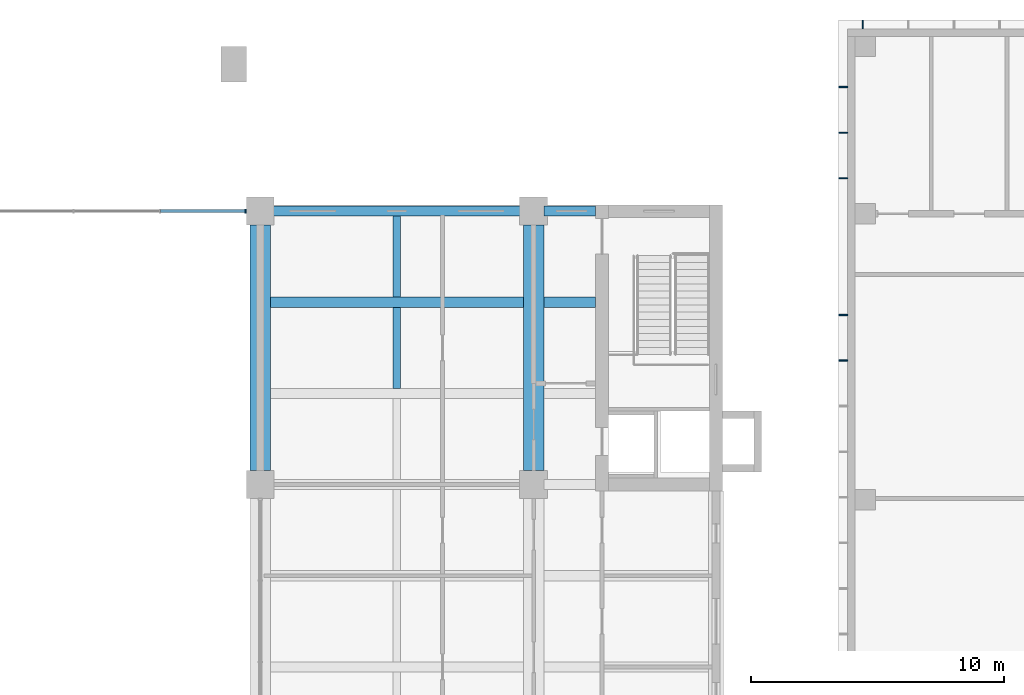
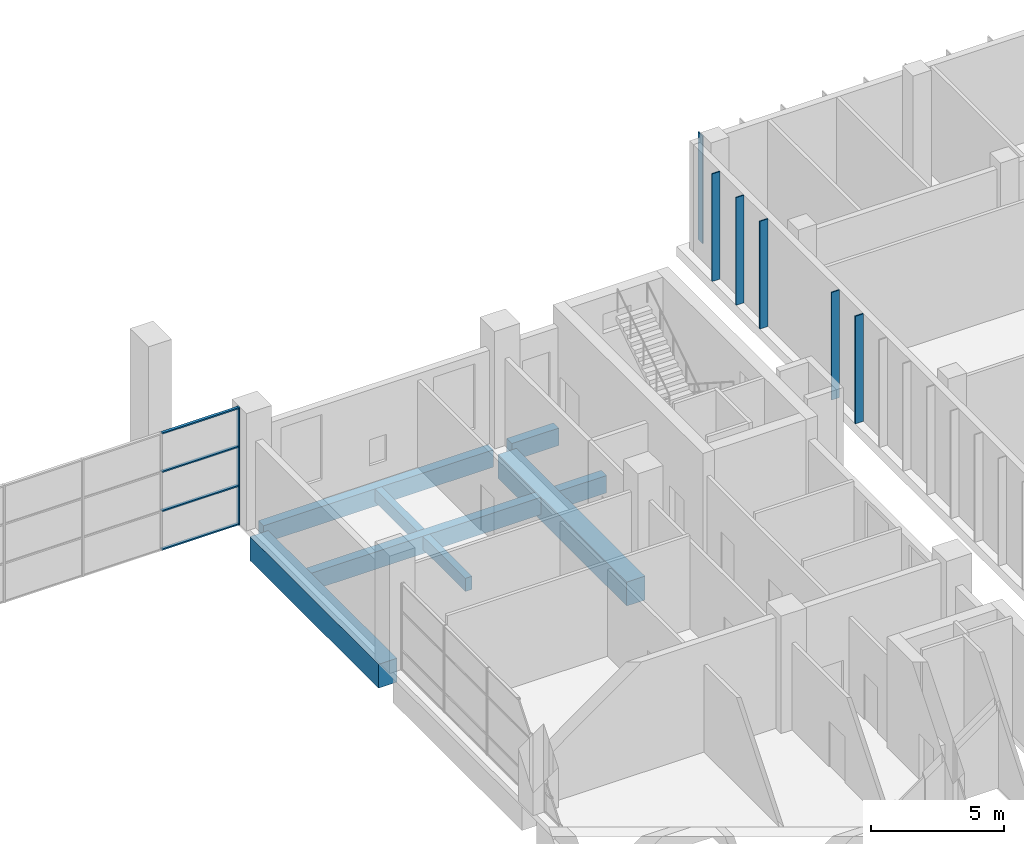
# One storey, part 11 of 32: 11 members, 8 beams, 1 element without a shape of its own.
"""IFC4 building model written with IfcOpenShell, lengths in metres."""

from ifc_helpers import new_model, si_unit, direction, frame, origin, origin_2d, place, context, subcontext, project, spatial, rectangle, extrude, material, layer, layer_set, material_profile, profile_set, type_object, element, aggregate, save


model = new_model("IFC4")

# Units and contexts
model_context = context("Model", 3, precision=1e-05, world=origin(), true_north=direction((0.0, 1.0)))
body_context = subcontext(model_context, "Body", "Model", "MODEL_VIEW")
ifc_project = project(units=[si_unit("LENGTHUNIT", "METRE"), si_unit("AREAUNIT", "SQUARE_METRE"), si_unit("VOLUMEUNIT", "CUBIC_METRE"), si_unit("PLANEANGLEUNIT", "RADIAN"), si_unit("MASSUNIT", "GRAM", prefix="KILO")], contexts=[model_context])

# Site, building, storey
site_placement = place(None, origin())
site = spatial("IfcSite", under=ifc_project, at=site_placement, CompositionType="ELEMENT")
building_placement = place(site_placement, origin())
building = spatial("IfcBuilding", under=site, at=building_placement, Name="Basin Gate Institute", CompositionType="ELEMENT")
storey_placement = place(building_placement, frame((0.0, 0.0, 11.39990234375)))
storey = spatial("IfcBuildingStorey", under=building, at=storey_placement, Name="L02", CompositionType="ELEMENT", Elevation=11.39990234375)

# Curtain wall, members
ifc_material_1 = material(Name="Aluminium and glass curtain wall", Category="aluminium")
ifc_layer = layer(ifc_material_1, 0.14990234375)
ifc_layer_set = layer_set([ifc_layer], Name="Atrium curtain wall CW81")
curtain_wall_type = type_object("IfcCurtainWallType", Name="Atrium curtain wall CW81", PredefinedType="NOTDEFINED", material=ifc_layer_set)
curtain_wall_placement = place(storey_placement, origin())
curtain_wall = element("IfcCurtainWall", 1, at=curtain_wall_placement, inside=storey, type_object=curtain_wall_type, material=ifc_layer_set, Name="Atrium end screen N L02", PredefinedType="NOTDEFINED")
ifc_material_2 = material(Name="Aluminium mullion", Category="aluminium")
ifc_material_profile_1 = material_profile(ifc_material_2, rectangle(XDim=0.159912109375, YDim=0.06005859375, at=origin_2d()), Name="Atrium mullion MU81 160 x 60")
ifc_profile_set_1 = profile_set([ifc_material_profile_1], Name="Aluminium mullion")
member_type_1 = type_object("IfcMemberType", Name="Atrium mullion MU81", PredefinedType="MULLION", material=ifc_profile_set_1)
member_1_placement = place(storey_placement, frame((100.219970703125, 99.89990234375, 0.0), z_axis=(0.0, 0.0, 1.0), x_axis=(0.0, 1.0, 0.0)))
member_1 = element("IfcMember", 2, at=member_1_placement, type_object=member_type_1, material=ifc_profile_set_1, Name="CW81 mullion 7", PredefinedType="MULLION", context=body_context, shape_type="SweptSolid", body=[
    extrude(rectangle(XDim=0.159912109375, YDim=0.06005859375, at=origin_2d()), origin(), (0.0, 0.0, 1.0), 5.400146484375),
])
ifc_material_3 = material(Name="Aluminium transom", Category="aluminium")
ifc_material_profile_2 = material_profile(ifc_material_3, rectangle(XDim=0.1201171875, YDim=0.06005859375, at=origin_2d()), Name="Atrium transom TR81 120 x 60")
ifc_profile_set_2 = profile_set([ifc_material_profile_2], Name="Aluminium transom")
member_type_2 = type_object("IfcMemberType", Name="Atrium transom TR81", PredefinedType="USERDEFINED", material=ifc_profile_set_2)
member_2_placement = place(storey_placement, frame((96.86328125, 99.89990234375, 0.030029296875), z_axis=(1.0, 0.0, 0.0), x_axis=(0.0, 1.0, 0.0)))
member_2 = element("IfcMember", 3, at=member_2_placement, type_object=member_type_2, material=ifc_profile_set_2, Name="CW81 transom 6.1", ObjectType="TRANSOM", PredefinedType="USERDEFINED", context=body_context, shape_type="SweptSolid", body=[
    extrude(rectangle(XDim=0.1201171875, YDim=0.06005859375, at=origin_2d()), origin(), (0.0, 0.0, 1.0), 3.32666015625),
])
member_3_placement = place(storey_placement, frame((96.86328125, 99.89990234375, 1.800048828125), z_axis=(1.0, 0.0, 0.0), x_axis=(0.0, 1.0, 0.0)))
member_3 = element("IfcMember", 4, at=member_3_placement, type_object=member_type_2, material=ifc_profile_set_2, Name="CW81 transom 6.2", ObjectType="TRANSOM", PredefinedType="USERDEFINED", context=body_context, shape_type="SweptSolid", body=[
    extrude(rectangle(XDim=0.1201171875, YDim=0.06005859375, at=origin_2d()), origin(), (0.0, 0.0, 1.0), 3.32666015625),
])
member_4_placement = place(storey_placement, frame((96.86328125, 99.89990234375, 3.60009765625), z_axis=(1.0, 0.0, 0.0), x_axis=(0.0, 1.0, 0.0)))
member_4 = element("IfcMember", 5, at=member_4_placement, type_object=member_type_2, material=ifc_profile_set_2, Name="CW81 transom 6.3", ObjectType="TRANSOM", PredefinedType="USERDEFINED", context=body_context, shape_type="SweptSolid", body=[
    extrude(rectangle(XDim=0.1201171875, YDim=0.06005859375, at=origin_2d()), origin(), (0.0, 0.0, 1.0), 3.32666015625),
])
member_5_placement = place(storey_placement, frame((96.86328125, 99.89990234375, 5.3701171875), z_axis=(1.0, 0.0, 0.0), x_axis=(0.0, 1.0, 0.0)))
member_5 = element("IfcMember", 6, at=member_5_placement, type_object=member_type_2, material=ifc_profile_set_2, Name="CW81 transom 6.4", ObjectType="TRANSOM", PredefinedType="USERDEFINED", context=body_context, shape_type="SweptSolid", body=[
    extrude(rectangle(XDim=0.1201171875, YDim=0.06005859375, at=origin_2d()), origin(), (0.0, 0.0, 1.0), 3.32666015625),
])
aggregate(curtain_wall, [member_1, member_2, member_3, member_4, member_5])

# Beams
ifc_material_4 = material(Name="Concrete 40 MPa", Category="concrete")
ifc_material_profile_3 = material_profile(ifc_material_4, rectangle(XDim=0.39990234375, YDim=0.800048828125, at=origin_2d()), Name="Beam B2 400 x 800")
ifc_profile_set_3 = profile_set([ifc_material_profile_3], Name="Concrete 40 MPa")
beam_type_1 = type_object("IfcBeamType", Name="Beam B2 R180", PredefinedType="BEAM", material=ifc_profile_set_3)
beam_1_placement = place(storey_placement, frame((111.199951171875, 96.300048828125, -0.699951171875), z_axis=(-1.0, 0.0, 0.0), x_axis=(0.0, -1.0, 0.0)))
element("IfcBeam", 7, at=beam_1_placement, inside=storey, type_object=beam_type_1, material=ifc_profile_set_3, Name="BEAM/L02/E/EW/18", PredefinedType="BEAM", context=body_context, shape_type="SweptSolid", body=[
    extrude(rectangle(XDim=0.39990234375, YDim=0.800048828125, at=origin_2d()), origin(), (0.0, 0.0, 1.0), 10.0),
])
beam_2_placement = place(storey_placement, frame((114.050048828125, 96.300048828125, -0.699951171875), z_axis=(-1.0, 0.0, 0.0), x_axis=(0.0, -1.0, 0.0)))
element("IfcBeam", 8, at=beam_2_placement, inside=storey, type_object=beam_type_1, material=ifc_profile_set_3, Name="BEAM/L02/E/CORR/18", PredefinedType="BEAM", context=body_context, shape_type="SweptSolid", body=[
    extrude(rectangle(XDim=0.39990234375, YDim=0.800048828125, at=origin_2d()), origin(), (0.0, 0.0, 1.0), 2.050048828125),
])
beam_3_placement = place(storey_placement, frame((111.199951171875, 99.89990234375, -0.699951171875), z_axis=(-1.0, 0.0, 0.0), x_axis=(0.0, -1.0, 0.0)))
element("IfcBeam", 9, at=beam_3_placement, inside=storey, type_object=beam_type_1, material=ifc_profile_set_3, Name="BEAM/L02/E/EW/19", PredefinedType="BEAM", context=body_context, shape_type="SweptSolid", body=[
    extrude(rectangle(XDim=0.39990234375, YDim=0.800048828125, at=origin_2d()), origin(), (0.0, 0.0, 1.0), 10.0),
])
beam_4_placement = place(storey_placement, frame((114.050048828125, 99.89990234375, -0.699951171875), z_axis=(-1.0, 0.0, 0.0), x_axis=(0.0, -1.0, 0.0)))
element("IfcBeam", 10, at=beam_4_placement, inside=storey, type_object=beam_type_1, material=ifc_profile_set_3, Name="BEAM/L02/E/CORR/19", PredefinedType="BEAM", context=body_context, shape_type="SweptSolid", body=[
    extrude(rectangle(XDim=0.39990234375, YDim=0.800048828125, at=origin_2d()), origin(), (0.0, 0.0, 1.0), 2.050048828125),
])
ifc_material_5 = material(Name="Concrete 50 MPa", Category="concrete")
ifc_material_profile_4 = material_profile(ifc_material_5, rectangle(XDim=0.800048828125, YDim=1.10009765625, at=origin_2d()), Name="Girder G2 800 x 1100")
ifc_profile_set_4 = profile_set([ifc_material_profile_4], Name="Concrete 50 MPa")
beam_type_2 = type_object("IfcBeamType", Name="Girder G2 R180", PredefinedType="BEAM", material=ifc_profile_set_4)
for number, where, z_axis, x_axis, name in (
    (11, (111.60009765625, 89.64990234375, -0.849853515625), (0.0, 1.0, 0.0), (-1.0, 0.0, 0.0), "GIR/L02/E8/6"),
    (12, (100.800048828125, 89.64990234375, -0.849853515625), (0.0, 1.0, 0.0), (-1.0, 0.0, 0.0), "GIR/L02/E7/6"),
):
    element("IfcBeam", number, at=place(storey_placement, frame(where, z_axis=z_axis, x_axis=x_axis)), inside=storey, type_object=beam_type_2, material=ifc_profile_set_4, Name=name, PredefinedType="BEAM", context=body_context, shape_type="SweptSolid", body=[
        extrude(rectangle(XDim=0.800048828125, YDim=1.10009765625, at=origin_2d()), origin(), (0.0, 0.0, 1.0), 9.7001953125),
    ])

# Members
ifc_material_6 = material(Name="Anodised aluminium", Category="aluminium")
ifc_material_profile_5 = material_profile(ifc_material_6, rectangle(XDim=0.050048828125, YDim=0.35009765625, at=origin_2d()), Name="Louvre fin CF1 50 x 350")
ifc_profile_set_5 = profile_set([ifc_material_profile_5], Name="Anodised aluminium")
member_type_3 = type_object("IfcMemberType", Name="Louvre fin CF1", PredefinedType="PLATE", material=ifc_profile_set_5)
for number, where, z_axis, x_axis, name in (
    (13, (124.60009765625, 107.27490234375, 0.0), (0.0, 0.0, 1.0), (1.0, 0.0, 0.0), "Louvre fin CF1 N1 L02"),
    (14, (123.824951171875, 94.0, 0.0), (0.0, 0.0, 1.0), (0.0, 1.0, 0.0), "Louvre fin CF1 W14 L02"),
    (15, (123.824951171875, 95.800048828125, 0.0), (0.0, 0.0, 1.0), (0.0, 1.0, 0.0), "Louvre fin CF1 W15 L02"),
    (16, (123.824951171875, 101.199951171875, 0.0), (0.0, 0.0, 1.0), (0.0, 1.0, 0.0), "Louvre fin CF1 W18 L02"),
    (17, (123.824951171875, 103.0, 0.0), (0.0, 0.0, 1.0), (0.0, 1.0, 0.0), "Louvre fin CF1 W19 L02"),
    (18, (123.824951171875, 104.800048828125, 0.0), (0.0, 0.0, 1.0), (0.0, 1.0, 0.0), "Louvre fin CF1 W20 L02"),
):
    element("IfcMember", number, at=place(storey_placement, frame(where, z_axis=z_axis, x_axis=x_axis)), inside=storey, type_object=member_type_3, material=ifc_profile_set_5, Name=name, PredefinedType="PLATE", context=body_context, shape_type="SweptSolid", body=[
        extrude(rectangle(XDim=0.050048828125, YDim=0.35009765625, at=origin_2d()), origin(), (0.0, 0.0, 1.0), 4.9501953125),
    ])

# Beams
ifc_material_7 = material(Name="Concrete 40 MPa", Category="concrete")
ifc_material_profile_6 = material_profile(ifc_material_7, rectangle(XDim=0.300048828125, YDim=0.60009765625, at=origin_2d()), Name="Rib R2 300 x 600")
ifc_profile_set_6 = profile_set([ifc_material_profile_6], Name="Concrete 40 MPa")
beam_type_3 = type_object("IfcBeamType", Name="Rib R2 R180", PredefinedType="JOIST", material=ifc_profile_set_6)
beam_5_placement = place(storey_placement, frame((106.199951171875, 92.89990234375, -0.599853515625), z_axis=(0.0, 1.0, 0.0), x_axis=(-1.0, 0.0, 0.0)))
element("IfcBeam", 19, at=beam_5_placement, inside=storey, type_object=beam_type_3, material=ifc_profile_set_6, Name="BEAM/L02/E/RIB/17", PredefinedType="JOIST", context=body_context, shape_type="SweptSolid", body=[
    extrude(rectangle(XDim=0.300048828125, YDim=0.60009765625, at=origin_2d()), origin(), (0.0, 0.0, 1.0), 3.2001953125),
])
beam_6_placement = place(storey_placement, frame((106.199951171875, 96.5, -0.599853515625), z_axis=(0.0, 1.0, 0.0), x_axis=(-1.0, 0.0, 0.0)))
element("IfcBeam", 20, at=beam_6_placement, inside=storey, type_object=beam_type_3, material=ifc_profile_set_6, Name="BEAM/L02/E/RIB/18", PredefinedType="JOIST", context=body_context, shape_type="SweptSolid", body=[
    extrude(rectangle(XDim=0.300048828125, YDim=0.60009765625, at=origin_2d()), origin(), (0.0, 0.0, 1.0), 3.199951171875),
])

save(model, "model.ifc")
